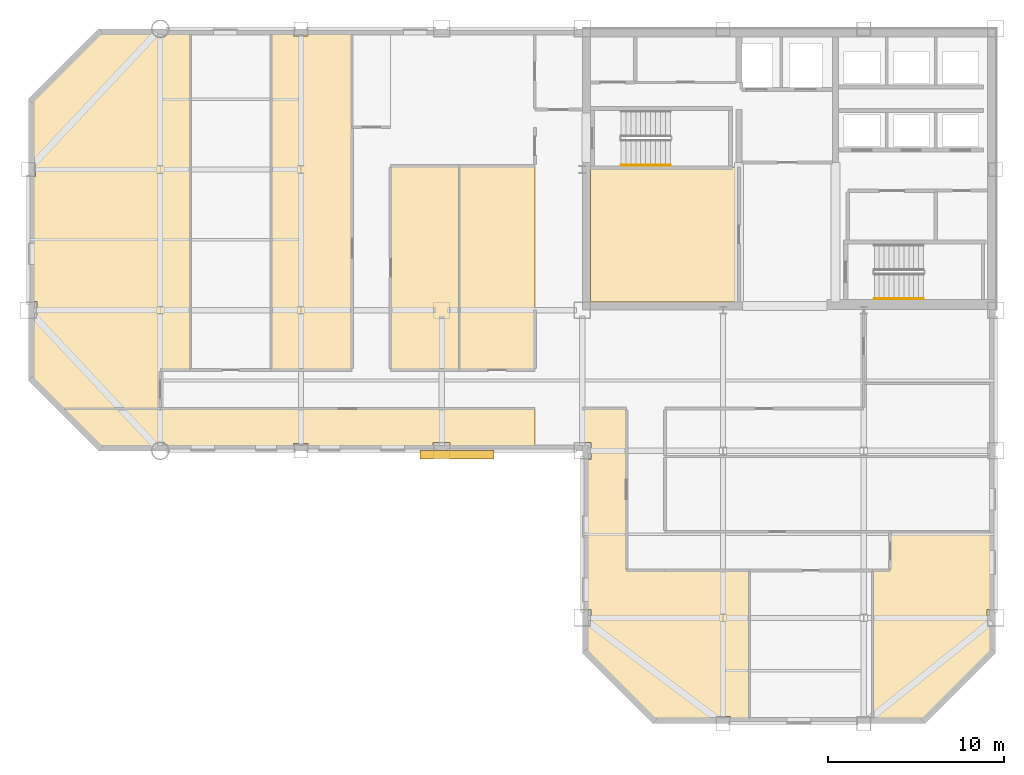
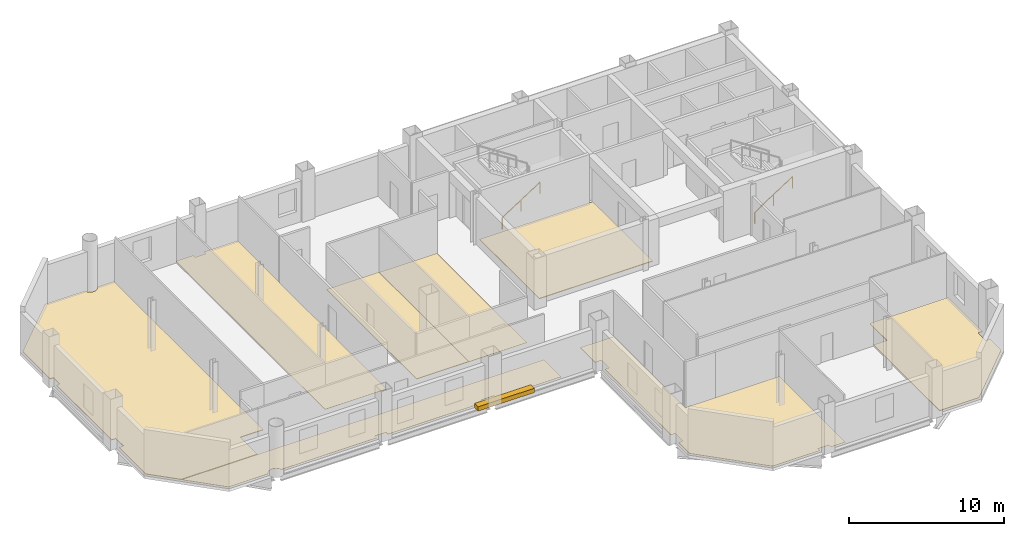
# One storey, part 8 of 11: 8 coverings, 2 railings, 1 shading device.
"""IFC4 building model written with IfcOpenShell, lengths in metres."""

from ifc_helpers import new_model, si_unit, direction, frame, origin, origin_2d, place, context, subcontext, project, spatial, polyline, rectangle, circle, outline, extrude, material, layer, layer_set, type_object, element, save


model = new_model("IFC4")

# Units and contexts
model_context = context("Model", 3, precision=1e-05, world=origin(), true_north=direction((0.0, 1.0)))
body_context = subcontext(model_context, "Body", "Model", "MODEL_VIEW")
ifc_project = project(units=[si_unit("LENGTHUNIT", "METRE"), si_unit("AREAUNIT", "SQUARE_METRE"), si_unit("VOLUMEUNIT", "CUBIC_METRE"), si_unit("PLANEANGLEUNIT", "RADIAN"), si_unit("MASSUNIT", "GRAM", prefix="KILO")], contexts=[model_context])

# Site, building, storey
site_placement = place(None, origin())
site = spatial("IfcSite", under=ifc_project, at=site_placement, CompositionType="ELEMENT")
building_placement = place(site_placement, origin())
building = spatial("IfcBuilding", under=site, at=building_placement, Name="Qianrong Seaharbour Tower", CompositionType="ELEMENT")
storey_placement = place(building_placement, frame((0.0, 0.0, 277.800048828125)))
storey = spatial("IfcBuildingStorey", under=building, at=storey_placement, Name="L67", CompositionType="ELEMENT", Elevation=277.800048828125)

# Coverings
ifc_material_1 = material(Name="Acoustic modular carpet tile flooring")
ifc_layer_1 = layer(ifc_material_1, 0.02001953125)
ifc_layer_set_1 = layer_set([ifc_layer_1], Name="Acoustic modular carpet tile flooring")
covering_type_1 = type_object("IfcCoveringType", Name="COV-FLOOR-CARPET-20", PredefinedType="FLOORING", material=ifc_layer_set_1)
covering_1_placement = place(storey_placement, origin())
element("IfcCovering", 1, at=covering_1_placement, inside=storey, type_object=covering_type_1, Name="L67 Boardroom 2 Finish Flooring", PredefinedType="FLOORING", context=body_context, shape_type="SweptSolid", body=[
    extrude(outline(polyline([(24.090087890625, 51.8349609375), (24.090087890625, 51.590087890625), (24.909912109375, 51.590087890625), (24.909912109375, 51.8349609375), (27.39990234375, 51.8349609375), (27.39990234375, 32.60009765625), (22.800048828125, 32.60009765625), (22.800048828125, 51.8349609375), (24.090087890625, 51.8349609375)])), origin(), (0.0, 0.0, 1.0), 0.02001953125),
])
covering_2_placement = place(storey_placement, origin())
element("IfcCovering", 2, at=covering_2_placement, inside=storey, type_object=covering_type_1, Name="L67 Focus Room 3 Finish Flooring", PredefinedType="FLOORING", context=body_context, shape_type="SweptSolid", body=[
    extrude(outline(polyline([(33.5, 44.199951171875), (37.800048828125, 44.199951171875), (37.800048828125, 32.60009765625), (33.5, 32.60009765625), (33.5, 44.199951171875)])), origin(), (0.0, 0.0, 1.0), 0.02001953125),
])
covering_3_placement = place(storey_placement, origin())
element("IfcCovering", 3, at=covering_3_placement, inside=storey, type_object=covering_type_1, Name="L67 Wet Pantry Finish Flooring", PredefinedType="FLOORING", context=body_context, shape_type="SweptSolid", body=[
    extrude(outline(polyline([(32.985107421875, 28.1650390625), (32.985107421875, 28.485107421875), (32.014892578125, 28.485107421875), (32.014892578125, 28.1650390625), (24.909912109375, 28.1650390625), (24.909912109375, 28.409912109375), (24.090087890625, 28.409912109375), (24.090087890625, 28.1650390625), (16.980224609375, 28.1650390625), (16.97119140625, 28.1953125), (16.924072265625, 28.283203125), (16.860595703125, 28.360595703125), (16.783203125, 28.424072265625), (16.6953125, 28.47119140625), (16.599609375, 28.500244140625), (16.5, 28.510009765625), (16.400390625, 28.500244140625), (16.3046875, 28.47119140625), (16.216796875, 28.424072265625), (16.139404296875, 28.360595703125), (16.075927734375, 28.283203125), (16.02880859375, 28.1953125), (16.019775390625, 28.1650390625), (13.068359375, 28.1650390625), (10.833251953125, 30.39990234375), (37.800048828125, 30.39990234375), (37.800048828125, 28.1650390625), (32.985107421875, 28.1650390625)])), origin(), (0.0, 0.0, 1.0), 0.02001953125),
])
covering_4_placement = place(storey_placement, origin())
element("IfcCovering", 4, at=covering_4_placement, inside=storey, type_object=covering_type_1, Name="L67 Mediation Meeting Room 1 Finish Flooring", PredefinedType="FLOORING", context=body_context, shape_type="SweptSolid", body=[
    extrude(outline(polyline([(43.0, 21.199951171875), (50.0, 21.199951171875), (50.0, 12.6650390625), (48.909912109375, 12.6650390625), (48.909912109375, 12.909912109375), (48.090087890625, 12.909912109375), (48.090087890625, 12.6650390625), (44.568359375, 12.6650390625), (40.6650390625, 16.568359375), (40.6650390625, 18.014892578125), (40.985107421875, 18.014892578125), (40.985107421875, 18.985107421875), (40.6650390625, 18.985107421875), (40.6650390625, 27.514892578125), (40.985107421875, 27.514892578125), (40.985107421875, 28.485107421875), (40.5, 28.485107421875), (40.5, 30.39990234375), (43.0, 30.39990234375), (43.0, 21.199951171875)])), origin(), (0.0, 0.0, 1.0), 0.02001953125),
])
ifc_material_2 = material(Name="Calcium-sulphate raised access floor tile")
ifc_layer_2 = layer(ifc_material_2, 0.044921875)
ifc_layer_set_2 = layer_set([ifc_layer_2], Name="Calcium-sulphate raised access floor tile")
covering_type_2 = type_object("IfcCoveringType", Name="COV-FLOOR-RAISED-45", PredefinedType="FLOORING", material=ifc_layer_set_2)
covering_5_placement = place(storey_placement, origin())
element("IfcCovering", 5, at=covering_5_placement, inside=storey, type_object=covering_type_2, Name="L67 Data Systems Office Finish Flooring", PredefinedType="FLOORING", context=body_context, shape_type="SweptSolid", body=[
    extrude(outline(polyline([(49.39990234375, 44.14990234375), (49.39990234375, 36.4599609375), (40.985107421875, 36.4599609375), (40.985107421875, 36.485107421875), (40.9599609375, 36.485107421875), (40.9599609375, 44.14990234375), (49.39990234375, 44.14990234375)])), origin(), (0.0, 0.0, 1.0), 0.044921875),
])
covering_6_placement = place(storey_placement, origin())
element("IfcCovering", 6, at=covering_6_placement, inside=storey, type_object=covering_type_2, Name="L67 Legal Support Open-Plan Office Finish Flooring", PredefinedType="FLOORING", context=body_context, shape_type="SweptSolid", body=[
    extrude(outline(polyline([(9.1650390625, 32.068359375), (9.1650390625, 35.514892578125), (9.485107421875, 35.514892578125), (9.485107421875, 36.485107421875), (9.1650390625, 36.485107421875), (9.1650390625, 43.590087890625), (9.409912109375, 43.590087890625), (9.409912109375, 44.409912109375), (9.1650390625, 44.409912109375), (9.1650390625, 47.931640625), (13.068359375, 51.8349609375), (16.019775390625, 51.8349609375), (16.02880859375, 51.8046875), (16.075927734375, 51.716796875), (16.139404296875, 51.639404296875), (16.216796875, 51.575927734375), (16.3046875, 51.52880859375), (16.400390625, 51.499755859375), (16.5, 51.489990234375), (16.599609375, 51.499755859375), (16.6953125, 51.52880859375), (16.783203125, 51.575927734375), (16.860595703125, 51.639404296875), (16.924072265625, 51.716796875), (16.97119140625, 51.8046875), (16.980224609375, 51.8349609375), (18.199951171875, 51.8349609375), (18.199951171875, 32.60009765625), (16.5, 32.60009765625), (16.5, 30.39990234375), (10.833251953125, 30.39990234375), (9.1650390625, 32.068359375)])), origin(), (0.0, 0.0, 1.0), 0.044921875),
])
covering_7_placement = place(storey_placement, origin())
element("IfcCovering", 7, at=covering_7_placement, inside=storey, type_object=covering_type_2, Name="L67 Partner Chambers Office 2 Finish Flooring", PredefinedType="FLOORING", context=body_context, shape_type="SweptSolid", body=[
    extrude(outline(polyline([(29.60009765625, 44.199951171875), (33.5, 44.199951171875), (33.5, 32.60009765625), (29.60009765625, 32.60009765625), (29.60009765625, 44.199951171875)])), origin(), (0.0, 0.0, 1.0), 0.044921875),
])
covering_8_placement = place(storey_placement, origin())
element("IfcCovering", 8, at=covering_8_placement, inside=storey, type_object=covering_type_2, Name="L67 Senior Partner Office 3 Finish Flooring", PredefinedType="FLOORING", context=body_context, shape_type="SweptSolid", body=[
    extrude(outline(polyline([(59.931640625, 12.6650390625), (57.0, 12.6650390625), (57.0, 21.199951171875), (58.0, 21.199951171875), (58.0, 23.39990234375), (63.8349609375, 23.39990234375), (63.8349609375, 18.985107421875), (63.514892578125, 18.985107421875), (63.514892578125, 18.014892578125), (63.8349609375, 18.014892578125), (63.8349609375, 16.568359375), (59.931640625, 12.6650390625)])), origin(), (0.0, 0.0, 1.0), 0.044921875),
])

# Railings
ifc_material_3 = material(Name="Stainless steel SUS316L continuous handrail", Category="steel")
railing_type = type_object("IfcRailingType", Name="RAIL-STAIR-HANDRAIL-900", PredefinedType="HANDRAIL", material=ifc_material_3)
railing_1_placement = place(storey_placement, frame((42.699951171875, 44.25, 0.181884765625)))
element("IfcRailing", 9, at=railing_1_placement, inside=storey, type_object=railing_type, Name="L67 ST-1 stair handrail 1", PredefinedType="HANDRAIL", context=body_context, shape_type="SweptSolid", body=[
    extrude(circle(Radius=0.02392578125, at=origin_2d()), frame((0.0, 0.0, 0.8759765625), z_axis=(0.838705829183, 0.0, 0.544584733623), x_axis=(0.0, 1.0, 0.0)), (0.0, 0.0, 1.0), 3.338623046875),
    extrude(circle(Radius=0.02099609375, at=origin_2d()), origin(), (0.0, 0.0, 1.0), 0.851806640625),
    extrude(circle(Radius=0.02099609375, at=origin_2d()), frame((1.39990234375, 0.0, 0.9091796875)), (0.0, 0.0, 1.0), 0.851806640625),
    extrude(circle(Radius=0.02099609375, at=origin_2d()), frame((2.800048828125, 0.0, 1.818115234375)), (0.0, 0.0, 1.0), 0.851806640625),
])
railing_2_placement = place(storey_placement, frame((57.10009765625, 36.64990234375, 0.181884765625)))
element("IfcRailing", 10, at=railing_2_placement, inside=storey, type_object=railing_type, Name="L67 ST-2 stair handrail 1", PredefinedType="HANDRAIL", context=body_context, shape_type="SweptSolid", body=[
    extrude(circle(Radius=0.02392578125, at=origin_2d()), frame((0.0, 0.0, 0.8759765625), z_axis=(0.83868413941, 0.0, 0.544618136222), x_axis=(0.0, 1.0, 0.0)), (0.0, 0.0, 1.0), 3.33837890625),
    extrude(circle(Radius=0.02099609375, at=origin_2d()), origin(), (0.0, 0.0, 1.0), 0.851806640625),
    extrude(circle(Radius=0.02099609375, at=origin_2d()), frame((1.39990234375, 0.0, 0.9091796875)), (0.0, 0.0, 1.0), 0.851806640625),
    extrude(circle(Radius=0.02099609375, at=origin_2d()), frame((2.7998046875, 0.0, 1.818115234375)), (0.0, 0.0, 1.0), 0.851806640625),
])

# Shading device
ifc_material_4 = material(Name="White architectural precast concrete C45/55", Category="concrete")
shading_device_type = type_object("IfcShadingDeviceType", Name="SHD-SUNSHADE-WHITE-320", PredefinedType="AWNING", material=ifc_material_4)
shading_device_placement = place(storey_placement, frame((33.362548828125, 27.780029296875, -0.02001953125), z_axis=(0.0, 0.0, 1.0), x_axis=(1.0, 0.0, 0.0)))
element("IfcShadingDevice", 11, at=shading_device_placement, inside=storey, type_object=shading_device_type, Name="L67 Climbing White Precast Ribbon Canopy Fin", PredefinedType="AWNING", context=body_context, shape_type="SweptSolid", body=[
    extrude(rectangle(XDim=4.199951171875, YDim=0.4599609375, at=origin_2d()), origin(), (0.0, 0.0, 1.0), 0.340087890625),
])

save(model, "model.ifc")
